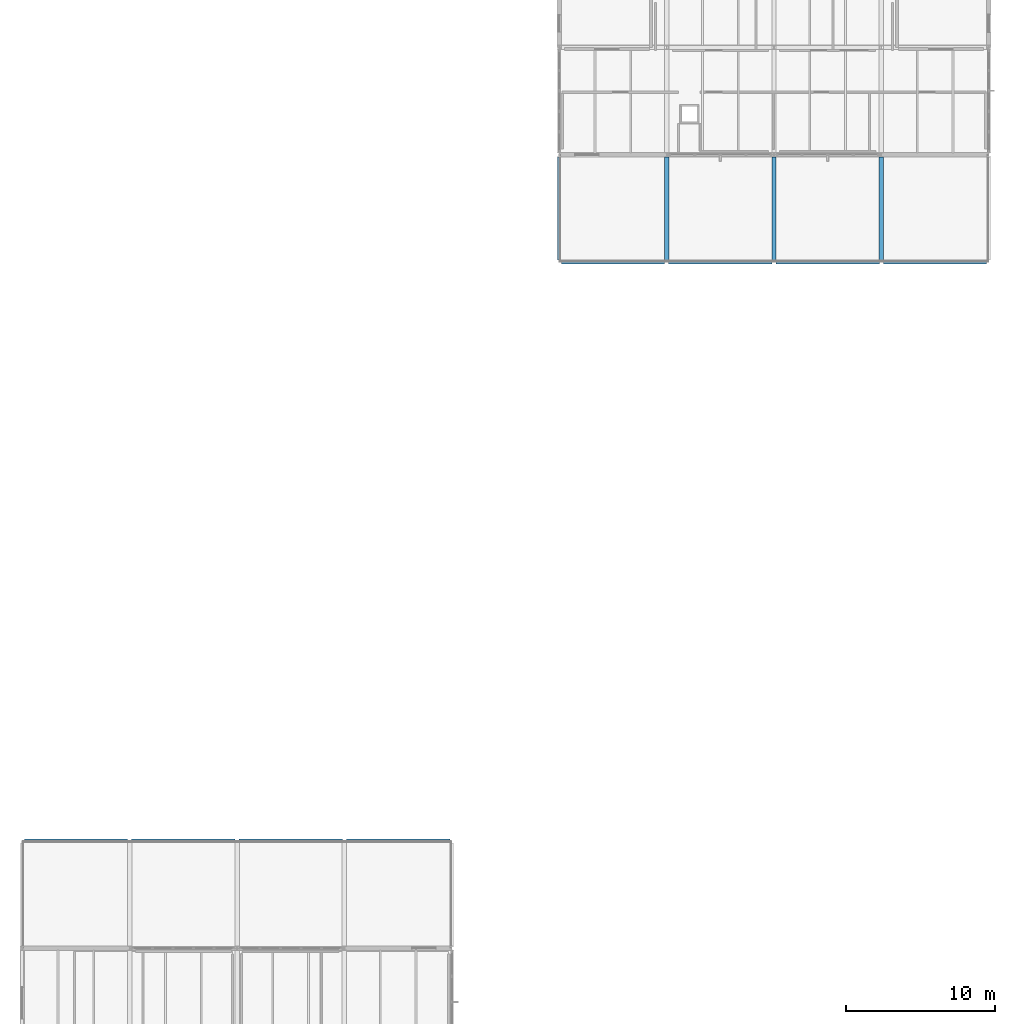
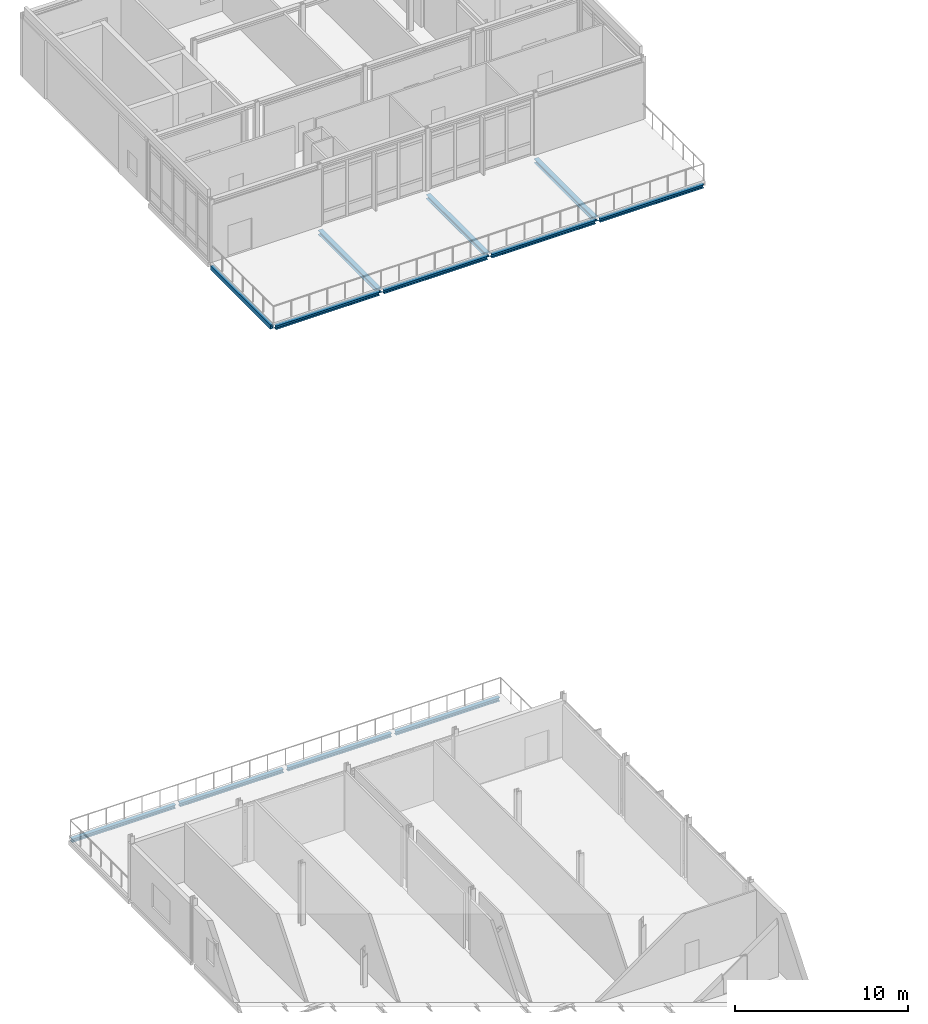
# One storey, part 7 of 21: 12 beams.
"""IFC4 building model written with IfcOpenShell, lengths in metres."""

from ifc_helpers import new_model, si_unit, direction, frame, origin, origin_2d, place, context, subcontext, project, spatial, hollow_rectangle, i_section, extrude, material, material_profile, profile_set, type_object, element, save


model = new_model("IFC4")

# Units and contexts
model_context = context("Model", 3, precision=1e-05, world=origin(), true_north=direction((0.0, 1.0)))
body_context = subcontext(model_context, "Body", "Model", "MODEL_VIEW")
ifc_project = project(units=[si_unit("LENGTHUNIT", "METRE"), si_unit("AREAUNIT", "SQUARE_METRE"), si_unit("VOLUMEUNIT", "CUBIC_METRE"), si_unit("PLANEANGLEUNIT", "RADIAN"), si_unit("MASSUNIT", "GRAM", prefix="KILO")], contexts=[model_context])

# Site, building, storey
site_placement = place(None, origin())
site = spatial("IfcSite", under=ifc_project, at=site_placement, CompositionType="ELEMENT")
building_placement = place(site_placement, origin())
building = spatial("IfcBuilding", under=site, at=building_placement, Name="Zarrinpeak Specialist Clinic", CompositionType="ELEMENT")
storey_placement = place(building_placement, frame((0.0, 0.0, 22.800048828125)))
storey = spatial("IfcBuildingStorey", under=building, at=storey_placement, Name="L05", CompositionType="ELEMENT", Elevation=22.800048828125)

# Beams
ifc_material = material(Name="Steel S355", Category="steel")
ifc_material_profile_1 = material_profile(ifc_material, i_section(OverallWidth=0.260009765625, OverallDepth=0.25, WebThickness=0.007568359375, FlangeThickness=0.012451171875, FilletRadius=0.02392578125, at=origin_2d()), Name="HEA 260")
ifc_profile_set_1 = profile_set([ifc_material_profile_1], Name="Steel S355")
beam_type_1 = type_object("IfcBeamType", Name="BM-HEA260", PredefinedType="BEAM", material=ifc_profile_set_1)
for number, where, z_axis, x_axis, name in (
    (1, (0.137939453125, 50.39990234375, -0.344970703125), (1.0, 0.0, 0.0), (0.0, 1.0, 0.0), "L05 Primary Floor Girder BM-L05-X2061"),
    (2, (7.337890625, 50.39990234375, -0.344970703125), (1.0, 0.0, 0.0), (0.0, 1.0, 0.0), "L05 Primary Floor Girder BM-L05-X2062"),
):
    element("IfcBeam", number, at=place(storey_placement, frame(where, z_axis=z_axis, x_axis=x_axis)), inside=storey, type_object=beam_type_1, Name=name, PredefinedType="BEAM", context=body_context, shape_type="SweptSolid", body=[
        extrude(i_section(OverallWidth=0.260009765625, OverallDepth=0.25, WebThickness=0.007568359375, FlangeThickness=0.012451171875, FilletRadius=0.02392578125, at=origin_2d()), origin(), (0.0, 0.0, 1.0), 6.924072265625),
    ])
beam_1_placement = place(storey_placement, frame((14.5380859375, 50.39990234375, -0.344970703125), z_axis=(1.0, 0.0, 0.0), x_axis=(0.0, 1.0, 0.0)))
element("IfcBeam", 3, at=beam_1_placement, inside=storey, type_object=beam_type_1, Name="L05 Primary Floor Girder BM-L05-X2063", PredefinedType="BEAM", context=body_context, shape_type="SweptSolid", body=[
    extrude(i_section(OverallWidth=0.260009765625, OverallDepth=0.25, WebThickness=0.007568359375, FlangeThickness=0.012451171875, FilletRadius=0.02392578125, at=origin_2d()), origin(), (0.0, 0.0, 1.0), 6.923828125),
])
for number, where, z_axis, x_axis, name in (
    (4, (21.738037109375, 50.39990234375, -0.344970703125), (1.0, 0.0, 0.0), (0.0, 1.0, 0.0), "L05 Primary Floor Girder BM-L05-X2064"),
    (5, (36.137939453125, 89.199951171875, -0.320068359375), (1.0, 0.0, 0.0), (0.0, 1.0, 0.0), "L05 Primary Floor Girder BM-L05-X2065"),
    (6, (43.337890625, 89.199951171875, -0.320068359375), (1.0, 0.0, 0.0), (0.0, 1.0, 0.0), "L05 Primary Floor Girder BM-L05-X2066"),
):
    element("IfcBeam", number, at=place(storey_placement, frame(where, z_axis=z_axis, x_axis=x_axis)), inside=storey, type_object=beam_type_1, Name=name, PredefinedType="BEAM", context=body_context, shape_type="SweptSolid", body=[
        extrude(i_section(OverallWidth=0.260009765625, OverallDepth=0.25, WebThickness=0.007568359375, FlangeThickness=0.012451171875, FilletRadius=0.02392578125, at=origin_2d()), origin(), (0.0, 0.0, 1.0), 6.924072265625),
    ])
beam_2_placement = place(storey_placement, frame((50.5380859375, 89.199951171875, -0.320068359375), z_axis=(1.0, 0.0, 0.0), x_axis=(0.0, 1.0, 0.0)))
element("IfcBeam", 7, at=beam_2_placement, inside=storey, type_object=beam_type_1, Name="L05 Primary Floor Girder BM-L05-X2067", PredefinedType="BEAM", context=body_context, shape_type="SweptSolid", body=[
    extrude(i_section(OverallWidth=0.260009765625, OverallDepth=0.25, WebThickness=0.007568359375, FlangeThickness=0.012451171875, FilletRadius=0.02392578125, at=origin_2d()), origin(), (0.0, 0.0, 1.0), 6.923828125),
])
beam_3_placement = place(storey_placement, frame((57.738037109375, 89.199951171875, -0.320068359375), z_axis=(1.0, 0.0, 0.0), x_axis=(0.0, 1.0, 0.0)))
element("IfcBeam", 8, at=beam_3_placement, inside=storey, type_object=beam_type_1, Name="L05 Primary Floor Girder BM-L05-X2068", PredefinedType="BEAM", context=body_context, shape_type="SweptSolid", body=[
    extrude(i_section(OverallWidth=0.260009765625, OverallDepth=0.25, WebThickness=0.007568359375, FlangeThickness=0.012451171875, FilletRadius=0.02392578125, at=origin_2d()), origin(), (0.0, 0.0, 1.0), 6.924072265625),
])
ifc_material_profile_2 = material_profile(ifc_material, i_section(OverallWidth=0.300048828125, OverallDepth=0.2900390625, WebThickness=0.008544921875, FlangeThickness=0.013916015625, FilletRadius=0.027099609375, at=origin_2d()), Name="HEA 300")
ifc_profile_set_2 = profile_set([ifc_material_profile_2], Name="Steel S355")
beam_type_2 = type_object("IfcBeamType", Name="BM-HEA300", PredefinedType="BEAM", material=ifc_profile_set_2)
for number, where, z_axis, x_axis, name in (
    (9, (43.199951171875, 89.337890625, -0.340087890625), (0.0, 1.0, 0.0), (-1.0, 0.0, 0.0), "L05 Primary Beam BM-L05-Y2114"),
    (10, (50.39990234375, 89.337890625, -0.340087890625), (0.0, 1.0, 0.0), (-1.0, 0.0, 0.0), "L05 Primary Beam BM-L05-Y2118"),
    (11, (57.60009765625, 89.337890625, -0.340087890625), (0.0, 1.0, 0.0), (-1.0, 0.0, 0.0), "L05 Primary Beam BM-L05-Y2122"),
):
    element("IfcBeam", number, at=place(storey_placement, frame(where, z_axis=z_axis, x_axis=x_axis)), inside=storey, type_object=beam_type_2, Name=name, PredefinedType="BEAM", context=body_context, shape_type="SweptSolid", body=[
        extrude(i_section(OverallWidth=0.300048828125, OverallDepth=0.2900390625, WebThickness=0.008544921875, FlangeThickness=0.013916015625, FilletRadius=0.027099609375, at=origin_2d()), origin(), (0.0, 0.0, 1.0), 6.904052734375),
    ])
ifc_material_profile_3 = material_profile(ifc_material, hollow_rectangle(XDim=0.199951171875, YDim=0.300048828125, WallThickness=0.012451171875, at=origin_2d()), Name="RHS 300x200x12.5")
ifc_profile_set_3 = profile_set([ifc_material_profile_3], Name="Steel S355")
beam_type_3 = type_object("IfcBeamType", Name="BM-SP300", PredefinedType="SPANDREL", material=ifc_profile_set_3)
beam_4_placement = place(storey_placement, frame((36.0, 89.337890625, -0.344970703125), z_axis=(0.0, 1.0, 0.0), x_axis=(-1.0, 0.0, 0.0)))
element("IfcBeam", 12, at=beam_4_placement, inside=storey, type_object=beam_type_3, Name="L05 Perimeter Spandrel Beam BM-L05-Y2112", PredefinedType="SPANDREL", context=body_context, shape_type="SweptSolid", body=[
    extrude(hollow_rectangle(XDim=0.199951171875, YDim=0.300048828125, WallThickness=0.012451171875, at=origin_2d()), origin(), (0.0, 0.0, 1.0), 6.904052734375),
])

save(model, "model.ifc")
